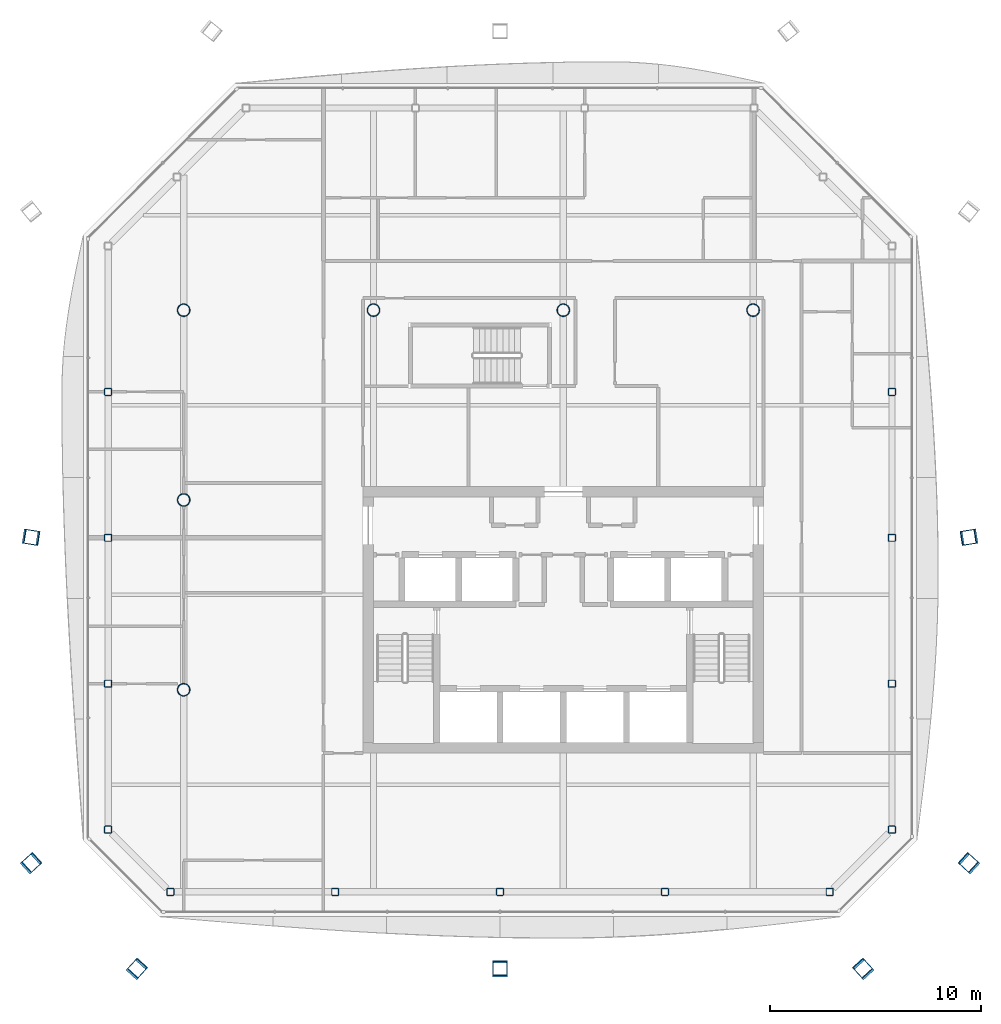
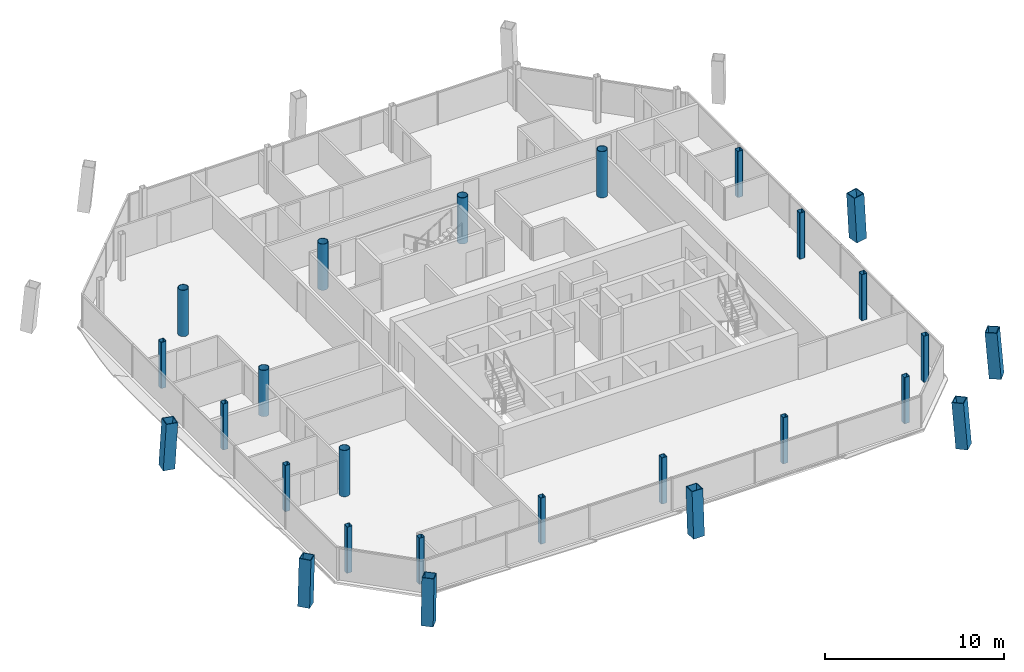
# One storey, part 1 of 19: 26 columns.
"""IFC4 building model written with IfcOpenShell, lengths in metres."""

from ifc_helpers import new_model, si_unit, direction, frame, origin, origin_2d, place, context, subcontext, project, spatial, hollow_rectangle, hollow_circle, extrude, material, material_profile, profile_set, type_object, element, save


model = new_model("IFC4")

# Units and contexts
model_context = context("Model", 3, precision=1e-05, world=origin(), true_north=direction((0.0, 1.0)))
body_context = subcontext(model_context, "Body", "Model", "MODEL_VIEW")
ifc_project = project(units=[si_unit("LENGTHUNIT", "METRE"), si_unit("AREAUNIT", "SQUARE_METRE"), si_unit("VOLUMEUNIT", "CUBIC_METRE"), si_unit("PLANEANGLEUNIT", "RADIAN"), si_unit("MASSUNIT", "GRAM", prefix="KILO")], contexts=[model_context])

# Site, building, storey
site_placement = place(None, origin())
site = spatial("IfcSite", under=ifc_project, at=site_placement, CompositionType="ELEMENT")
building_placement = place(site_placement, origin())
building = spatial("IfcBuilding", under=site, at=building_placement, Name="Tskaro Facet Tower", CompositionType="ELEMENT")
storey_placement = place(building_placement, frame((0.0, 0.0, 206.85009765625)))
storey = spatial("IfcBuildingStorey", under=building, at=storey_placement, Name="L53", CompositionType="ELEMENT", Elevation=206.85009765625)

# Columns
ifc_material_1 = material(Name="Steel S460M", Category="steel")
ifc_material_profile_1 = material_profile(ifc_material_1, hollow_rectangle(XDim=0.699951171875, YDim=0.699951171875, WallThickness=0.044921875, at=origin_2d()), Name="BOX 700x700x45")
ifc_profile_set_1 = profile_set([ifc_material_profile_1], Name="Steel S460M")
column_type_1 = type_object("IfcColumnType", Name="BOX 700x700x45 mega column", PredefinedType="COLUMN", material=ifc_profile_set_1)
column_1_placement = place(storey_placement, frame((-20.2509765625, -22.26806640625, 0.0), z_axis=(0.052856853872, 0.057946773133, 0.996919417246), x_axis=(-0.738809628439, 0.673914188103, 0.0)))
element("IfcColumn", 1, at=column_1_placement, inside=storey, type_object=column_type_1, Name="BOX 700x700x45 MC01/4", PredefinedType="COLUMN", context=body_context, shape_type="SweptSolid", body=[
    extrude(hollow_rectangle(XDim=0.699951171875, YDim=0.699951171875, WallThickness=0.044921875, at=origin_2d()), origin(), (0.0, 0.0, 1.0), 3.11767578125),
])
column_2_placement = place(storey_placement, frame((-3.0, -22.26806640625, 0.0), z_axis=(0.0, 0.057998041735, 0.998316696823), x_axis=(-1.0, 0.0, 0.0)))
element("IfcColumn", 2, at=column_2_placement, inside=storey, type_object=column_type_1, Name="BOX 700x700x45 MC02/4", PredefinedType="COLUMN", context=body_context, shape_type="SweptSolid", body=[
    extrude(hollow_rectangle(XDim=0.699951171875, YDim=0.699951171875, WallThickness=0.044921875, at=origin_2d()), origin(), (0.0, 0.0, 1.0), 3.12353515625),
])
for number, where, z_axis, x_axis, name in (
    (3, (14.2509765625, -22.26806640625, 0.0), (-0.052856853872, 0.057946773133, 0.996919417246), (-0.738809628439, -0.673914188103, 0.0), "BOX 700x700x45 MC03/4"),
    (4, (19.26806640625, -17.2509765625, 0.0), (-0.057946773133, 0.052856853872, 0.996919417246), (-0.673914188103, -0.738809628439, 0.0), "BOX 700x700x45 MC04/4"),
):
    element("IfcColumn", number, at=place(storey_placement, frame(where, z_axis=z_axis, x_axis=x_axis)), inside=storey, type_object=column_type_1, Name=name, PredefinedType="COLUMN", context=body_context, shape_type="SweptSolid", body=[
        extrude(hollow_rectangle(XDim=0.699951171875, YDim=0.699951171875, WallThickness=0.044921875, at=origin_2d()), origin(), (0.0, 0.0, 1.0), 3.11767578125),
    ])
for number, where, z_axis, x_axis, name in (
    (5, (19.26806640625, -1.763916015625, 0.0), (-0.058004626676, -0.009224455455, 0.998273696291), (0.157056042641, -0.987589691861, 0.0), "BOX 700x700x45 MC05/4"),
    (6, (-25.26806640625, -1.763916015625, 0.0), (0.058004626676, -0.009224455455, 0.998273696291), (0.157056042641, 0.987589691861, 0.0), "BOX 700x700x45 MC11/4"),
):
    element("IfcColumn", number, at=place(storey_placement, frame(where, z_axis=z_axis, x_axis=x_axis)), inside=storey, type_object=column_type_1, Name=name, PredefinedType="COLUMN", context=body_context, shape_type="SweptSolid", body=[
        extrude(hollow_rectangle(XDim=0.699951171875, YDim=0.699951171875, WallThickness=0.044921875, at=origin_2d()), origin(), (0.0, 0.0, 1.0), 3.123046875),
    ])
column_3_placement = place(storey_placement, frame((-25.26806640625, -17.2509765625, 0.0), z_axis=(0.057946773133, 0.052856853872, 0.996919417246), x_axis=(-0.673914188103, 0.738809628439, 0.0)))
element("IfcColumn", 7, at=column_3_placement, inside=storey, type_object=column_type_1, Name="BOX 700x700x45 MC12/4", PredefinedType="COLUMN", context=body_context, shape_type="SweptSolid", body=[
    extrude(hollow_rectangle(XDim=0.699951171875, YDim=0.699951171875, WallThickness=0.044921875, at=origin_2d()), origin(), (0.0, 0.0, 1.0), 3.11767578125),
])
ifc_material_2 = material(Name="Steel S355J2H", Category="steel")
ifc_material_profile_2 = material_profile(ifc_material_2, hollow_circle(Radius=0.304931640625, WallThickness=0.030029296875, at=origin_2d()), Name="CHS 610x30")
ifc_profile_set_2 = profile_set([ifc_material_profile_2], Name="Steel S355J2H")
column_type_2 = type_object("IfcColumnType", Name="CHS 610x30 interior column", PredefinedType="COLUMN", material=ifc_profile_set_2)
for number, where, z_axis, x_axis, name in (
    (8, (-18.0, -9.0, 0.0), (0.0, 0.0, 1.0), (1.0, 0.0, 0.0), "CHS 610x30 C2C/4"),
    (9, (-18.0, 0.0, 0.0), (0.0, 0.0, 1.0), (1.0, 0.0, 0.0), "CHS 610x30 C2D/4"),
    (10, (-18.0, 9.0, 0.0), (0.0, 0.0, 1.0), (1.0, 0.0, 0.0), "CHS 610x30 C2E/4"),
    (11, (-9.0, 9.0, 0.0), (0.0, 0.0, 1.0), (1.0, 0.0, 0.0), "CHS 610x30 C3E/4"),
    (12, (0.0, 9.0, 0.0), (0.0, 0.0, 1.0), (1.0, 0.0, 0.0), "CHS 610x30 C4E/4"),
    (13, (9.0, 9.0, 0.0), (0.0, 0.0, 1.0), (1.0, 0.0, 0.0), "CHS 610x30 C5E/4"),
):
    element("IfcColumn", number, at=place(storey_placement, frame(where, z_axis=z_axis, x_axis=x_axis)), inside=storey, type_object=column_type_2, Name=name, PredefinedType="COLUMN", context=body_context, shape_type="SweptSolid", body=[
        extrude(hollow_circle(Radius=0.304931640625, WallThickness=0.030029296875, at=origin_2d()), origin(), (0.0, 0.0, 1.0), 3.14990234375),
    ])
ifc_material_profile_3 = material_profile(ifc_material_2, hollow_rectangle(XDim=0.35009765625, YDim=0.35009765625, WallThickness=0.02001953125, InnerFilletRadius=0.030029296875, OuterFilletRadius=0.050048828125, at=origin_2d()), Name="SHS 350x350x20")
ifc_profile_set_3 = profile_set([ifc_material_profile_3], Name="Steel S355J2H")
column_type_3 = type_object("IfcColumnType", Name="SHS 350x350x20 ring column", PredefinedType="COLUMN", material=ifc_profile_set_3)
for number, where, z_axis, x_axis, name in (
    (14, (-18.633056640625, -18.5830078125, 0.0), (0.0, 0.0, 1.0), (1.0, 0.0, 0.0), "SHS 350x350x20 RS-1/4"),
    (15, (-10.81591796875, -18.5830078125, 0.0), (0.0, 0.0, 1.0), (1.0, 0.0, 0.0), "SHS 350x350x20 RS-2/4"),
    (16, (-3.0, -18.5830078125, 0.0), (0.0, 0.0, 1.0), (1.0, 0.0, 0.0), "SHS 350x350x20 RS-3/4"),
    (17, (4.81689453125, -18.5830078125, 0.0), (0.0, 0.0, 1.0), (1.0, 0.0, 0.0), "SHS 350x350x20 RS-4/4"),
    (18, (12.633056640625, -18.5830078125, 0.0), (0.0, 0.0, 1.0), (1.0, 0.0, 0.0), "SHS 350x350x20 RSE-1/4"),
    (19, (15.5830078125, -15.633056640625, 0.0), (0.0, 0.0, 1.0), (1.0, 0.0, 0.0), "SHS 350x350x20 RE-1/4"),
    (20, (15.5830078125, -8.712890625, 0.0), (0.0, 0.0, 1.0), (1.0, 0.0, 0.0), "SHS 350x350x20 RE-2/4"),
    (21, (15.5830078125, -1.79296875, 0.0), (0.0, 0.0, 1.0), (1.0, 0.0, 0.0), "SHS 350x350x20 RE-3/4"),
    (22, (15.5830078125, 5.1259765625, 0.0), (0.0, 0.0, 1.0), (1.0, 0.0, 0.0), "SHS 350x350x20 RE-4/4"),
    (23, (-21.5830078125, 5.1259765625, 0.0), (0.0, 0.0, 1.0), (1.0, 0.0, 0.0), "SHS 350x350x20 RW-2/4"),
    (24, (-21.5830078125, -1.79296875, 0.0), (0.0, 0.0, 1.0), (1.0, 0.0, 0.0), "SHS 350x350x20 RW-3/4"),
    (25, (-21.5830078125, -8.712890625, 0.0), (0.0, 0.0, 1.0), (1.0, 0.0, 0.0), "SHS 350x350x20 RW-4/4"),
    (26, (-21.5830078125, -15.633056640625, 0.0), (0.0, 0.0, 1.0), (1.0, 0.0, 0.0), "SHS 350x350x20 RSW-1/4"),
):
    element("IfcColumn", number, at=place(storey_placement, frame(where, z_axis=z_axis, x_axis=x_axis)), inside=storey, type_object=column_type_3, Name=name, PredefinedType="COLUMN", context=body_context, shape_type="SweptSolid", body=[
        extrude(hollow_rectangle(XDim=0.35009765625, YDim=0.35009765625, WallThickness=0.02001953125, InnerFilletRadius=0.030029296875, OuterFilletRadius=0.050048828125, at=origin_2d()), origin(), (0.0, 0.0, 1.0), 3.14990234375),
    ])

save(model, "model.ifc")
